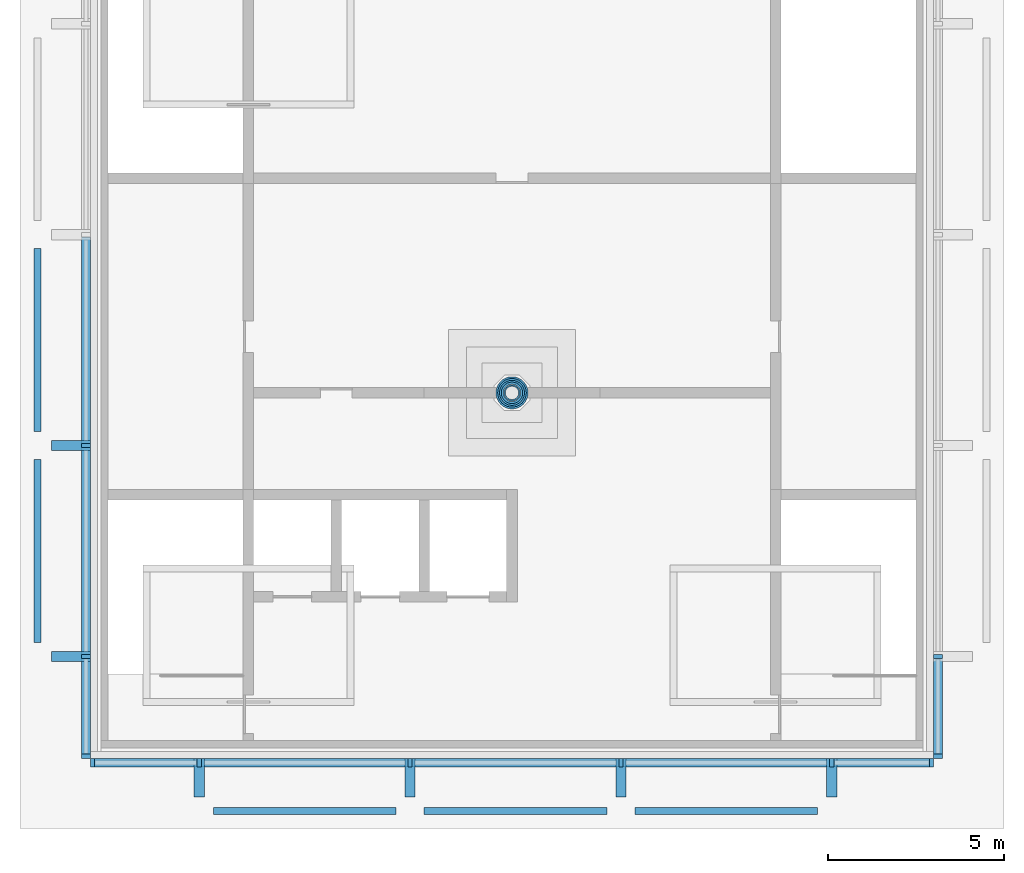
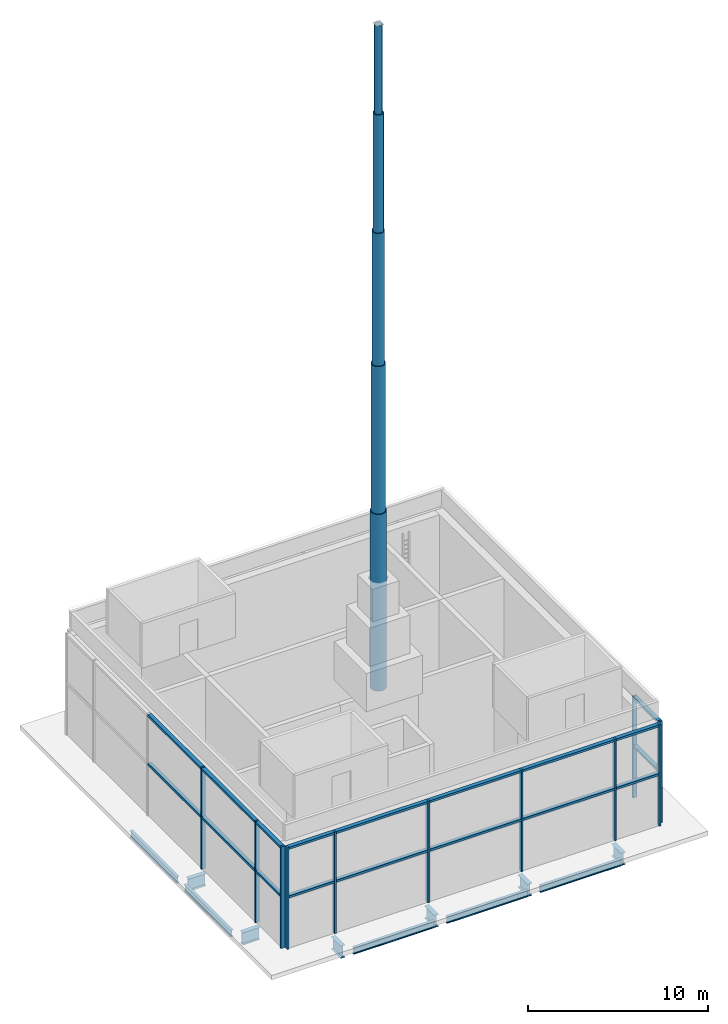
# One storey, part 1 of 8: 34 members, 11 beams, 3 elements without a shape of their own.
"""IFC4 building model written with IfcOpenShell, lengths in metres."""

from ifc_helpers import new_model, si_unit, direction, frame, origin, origin_2d, place, context, subcontext, project, spatial, rectangle, hollow_circle, i_section, extrude, material, material_profile, profile_set, type_object, element, aggregate, save


model = new_model("IFC4")

# Units and contexts
model_context = context("Model", 3, precision=1e-05, world=origin(), true_north=direction((0.0, 1.0)))
body_context = subcontext(model_context, "Body", "Model", "MODEL_VIEW")
ifc_project = project(units=[si_unit("LENGTHUNIT", "METRE"), si_unit("AREAUNIT", "SQUARE_METRE"), si_unit("VOLUMEUNIT", "CUBIC_METRE"), si_unit("PLANEANGLEUNIT", "RADIAN"), si_unit("MASSUNIT", "GRAM", prefix="KILO")], contexts=[model_context])

# Site, building, storey
site_placement = place(None, origin())
site = spatial("IfcSite", under=ifc_project, at=site_placement, CompositionType="ELEMENT")
building_placement = place(site_placement, origin())
building = spatial("IfcBuilding", under=site, at=building_placement, Name="Amberfall Residences", CompositionType="ELEMENT")
storey_placement = place(building_placement, frame((0.0, 0.0, 301.60009765625)))
storey = spatial("IfcBuildingStorey", under=building, at=storey_placement, Name="L81 Crown", CompositionType="ELEMENT", Elevation=301.60009765625)

# Curtain wall, members
ifc_material_1 = material(Name="Bronze anodised aluminium and glass", Category="aluminium")
curtain_wall_type = type_object("IfcCurtainWallType", Name="Curtain wall CW6 crown louvre", PredefinedType="USERDEFINED", material=ifc_material_1)
curtain_wall_1_placement = place(storey_placement, origin())
curtain_wall_1 = element("IfcCurtainWall", 1, at=curtain_wall_1_placement, inside=storey, type_object=curtain_wall_type, Name="Curtain wall L81 Crown S S1", ObjectType="UNITISED CURTAIN WALL", PredefinedType="USERDEFINED")
ifc_material_2 = material(Name="Bronze anodised aluminium", Category="aluminium")
ifc_material_profile_1 = material_profile(ifc_material_2, rectangle(XDim=0.25, YDim=0.1201171875, at=origin_2d()), Name="CW6 mullion 120 x 250 bronze")
ifc_profile_set_1 = profile_set([ifc_material_profile_1], Name="Bronze anodised aluminium")
member_type_1 = type_object("IfcMemberType", Name="CW6 mullion 120 x 250 bronze", PredefinedType="MULLION", material=ifc_profile_set_1)
member_1_placement = place(storey_placement, frame((62.56005859375, 33.375, 0.0), z_axis=(0.0, 0.0, 1.0), x_axis=(0.0, 1.0, 0.0)))
member_1 = element("IfcMember", 2, at=member_1_placement, type_object=member_type_1, Name="CW6 mullion 1", PredefinedType="MULLION", context=body_context, shape_type="SweptSolid", body=[
    extrude(rectangle(XDim=0.25, YDim=0.1201171875, at=origin_2d()), origin(), (0.0, 0.0, 1.0), 6.89990234375),
])
member_2_placement = place(storey_placement, frame((65.60009765625, 33.375, 0.0), z_axis=(0.0, 0.0, 1.0), x_axis=(0.0, 1.0, 0.0)))
member_2 = element("IfcMember", 3, at=member_2_placement, type_object=member_type_1, Name="CW6 mullion 2", PredefinedType="MULLION", context=body_context, shape_type="SweptSolid", body=[
    extrude(rectangle(XDim=0.25, YDim=0.1201171875, at=origin_2d()), origin(), (0.0, 0.0, 1.0), 6.89990234375),
])
member_3_placement = place(storey_placement, frame((71.60009765625, 33.375, 0.0), z_axis=(0.0, 0.0, 1.0), x_axis=(0.0, 1.0, 0.0)))
member_3 = element("IfcMember", 4, at=member_3_placement, type_object=member_type_1, Name="CW6 mullion 3", PredefinedType="MULLION", context=body_context, shape_type="SweptSolid", body=[
    extrude(rectangle(XDim=0.25, YDim=0.1201171875, at=origin_2d()), origin(), (0.0, 0.0, 1.0), 6.89990234375),
])
member_4_placement = place(storey_placement, frame((77.60009765625, 33.375, 0.0), z_axis=(0.0, 0.0, 1.0), x_axis=(0.0, 1.0, 0.0)))
member_4 = element("IfcMember", 5, at=member_4_placement, type_object=member_type_1, Name="CW6 mullion 4", PredefinedType="MULLION", context=body_context, shape_type="SweptSolid", body=[
    extrude(rectangle(XDim=0.25, YDim=0.1201171875, at=origin_2d()), origin(), (0.0, 0.0, 1.0), 6.89990234375),
])
member_5_placement = place(storey_placement, frame((83.60009765625, 33.375, 0.0), z_axis=(0.0, 0.0, 1.0), x_axis=(0.0, 1.0, 0.0)))
member_5 = element("IfcMember", 6, at=member_5_placement, type_object=member_type_1, Name="CW6 mullion 5", PredefinedType="MULLION", context=body_context, shape_type="SweptSolid", body=[
    extrude(rectangle(XDim=0.25, YDim=0.1201171875, at=origin_2d()), origin(), (0.0, 0.0, 1.0), 6.89990234375),
])
member_6_placement = place(storey_placement, frame((86.43994140625, 33.375, 0.0), z_axis=(0.0, 0.0, 1.0), x_axis=(0.0, 1.0, 0.0)))
member_6 = element("IfcMember", 7, at=member_6_placement, type_object=member_type_1, Name="CW6 mullion 6", PredefinedType="MULLION", context=body_context, shape_type="SweptSolid", body=[
    extrude(rectangle(XDim=0.25, YDim=0.1201171875, at=origin_2d()), origin(), (0.0, 0.0, 1.0), 6.89990234375),
])

curtain_wall_2_placement = place(storey_placement, origin())
curtain_wall_2 = element("IfcCurtainWall", 8, at=curtain_wall_2_placement, inside=storey, type_object=curtain_wall_type, Name="Curtain wall L81 Crown E E1", ObjectType="UNITISED CURTAIN WALL", PredefinedType="USERDEFINED")
member_7_placement = place(storey_placement, frame((86.625, 33.56005859375, 0.0), z_axis=(0.0, 0.0, 1.0), x_axis=(-1.0, 0.0, 0.0)))
member_7 = element("IfcMember", 9, at=member_7_placement, type_object=member_type_1, Name="CW6 mullion 1", PredefinedType="MULLION", context=body_context, shape_type="SweptSolid", body=[
    extrude(rectangle(XDim=0.25, YDim=0.1201171875, at=origin_2d()), origin(), (0.0, 0.0, 1.0), 6.89990234375),
])
member_8_placement = place(storey_placement, frame((86.625, 36.39990234375, 0.0), z_axis=(0.0, 0.0, 1.0), x_axis=(-1.0, 0.0, 0.0)))
member_8 = element("IfcMember", 10, at=member_8_placement, type_object=member_type_1, Name="CW6 mullion 2", PredefinedType="MULLION", context=body_context, shape_type="SweptSolid", body=[
    extrude(rectangle(XDim=0.25, YDim=0.1201171875, at=origin_2d()), origin(), (0.0, 0.0, 1.0), 6.89990234375),
])

curtain_wall_3_placement = place(storey_placement, origin())
curtain_wall_3 = element("IfcCurtainWall", 11, at=curtain_wall_3_placement, inside=storey, type_object=curtain_wall_type, Name="Curtain wall L81 Crown W W1", ObjectType="UNITISED CURTAIN WALL", PredefinedType="USERDEFINED")
member_9_placement = place(storey_placement, frame((62.375, 42.39990234375, 0.0), z_axis=(0.0, 0.0, 1.0), x_axis=(1.0, 0.0, 0.0)))
member_9 = element("IfcMember", 12, at=member_9_placement, type_object=member_type_1, Name="CW6 mullion 4", PredefinedType="MULLION", context=body_context, shape_type="SweptSolid", body=[
    extrude(rectangle(XDim=0.25, YDim=0.1201171875, at=origin_2d()), origin(), (0.0, 0.0, 1.0), 6.89990234375),
])
member_10_placement = place(storey_placement, frame((62.375, 36.39990234375, 0.0), z_axis=(0.0, 0.0, 1.0), x_axis=(1.0, 0.0, 0.0)))
member_10 = element("IfcMember", 13, at=member_10_placement, type_object=member_type_1, Name="CW6 mullion 5", PredefinedType="MULLION", context=body_context, shape_type="SweptSolid", body=[
    extrude(rectangle(XDim=0.25, YDim=0.1201171875, at=origin_2d()), origin(), (0.0, 0.0, 1.0), 6.89990234375),
])
member_11_placement = place(storey_placement, frame((62.375, 33.56005859375, 0.0), z_axis=(0.0, 0.0, 1.0), x_axis=(1.0, 0.0, 0.0)))
member_11 = element("IfcMember", 14, at=member_11_placement, type_object=member_type_1, Name="CW6 mullion 6", PredefinedType="MULLION", context=body_context, shape_type="SweptSolid", body=[
    extrude(rectangle(XDim=0.25, YDim=0.1201171875, at=origin_2d()), origin(), (0.0, 0.0, 1.0), 6.89990234375),
])

# Member
ifc_material_profile_2 = material_profile(ifc_material_2, rectangle(XDim=0.25, YDim=0.14990234375, at=origin_2d()), Name="CW6 transom 250 x 150 bronze")
ifc_profile_set_2 = profile_set([ifc_material_profile_2], Name="Bronze anodised aluminium")
member_type_2 = type_object("IfcMemberType", Name="CW6 transom 250 x 150 bronze", PredefinedType="USERDEFINED", material=ifc_profile_set_2)
member_12_placement = place(storey_placement, frame((62.6201171875, 33.375, 3.52490234375), z_axis=(1.0, 0.0, 0.0), x_axis=(0.0, 1.0, 0.0)))
member_12 = element("IfcMember", 15, at=member_12_placement, type_object=member_type_2, Name="CW6 transom 1.1", ObjectType="TRANSOM", PredefinedType="USERDEFINED", context=body_context, shape_type="SweptSolid", body=[
    extrude(rectangle(XDim=0.25, YDim=0.14990234375, at=origin_2d()), origin(), (0.0, 0.0, 1.0), 2.919921875),
])

member_13_placement = place(storey_placement, frame((62.6201171875, 33.375, 6.824951171875), z_axis=(1.0, 0.0, 0.0), x_axis=(0.0, 1.0, 0.0)))
member_13 = element("IfcMember", 16, at=member_13_placement, type_object=member_type_2, Name="CW6 transom 1.2", ObjectType="TRANSOM", PredefinedType="USERDEFINED", context=body_context, shape_type="SweptSolid", body=[
    extrude(rectangle(XDim=0.25, YDim=0.14990234375, at=origin_2d()), origin(), (0.0, 0.0, 1.0), 2.919921875),
])

member_14_placement = place(storey_placement, frame((65.659912109375, 33.375, 3.52490234375), z_axis=(1.0, 0.0, 0.0), x_axis=(0.0, 1.0, 0.0)))
member_14 = element("IfcMember", 17, at=member_14_placement, type_object=member_type_2, Name="CW6 transom 2.1", ObjectType="TRANSOM", PredefinedType="USERDEFINED", context=body_context, shape_type="SweptSolid", body=[
    extrude(rectangle(XDim=0.25, YDim=0.14990234375, at=origin_2d()), origin(), (0.0, 0.0, 1.0), 5.880126953125),
])

member_15_placement = place(storey_placement, frame((65.659912109375, 33.375, 6.824951171875), z_axis=(1.0, 0.0, 0.0), x_axis=(0.0, 1.0, 0.0)))
member_15 = element("IfcMember", 18, at=member_15_placement, type_object=member_type_2, Name="CW6 transom 2.2", ObjectType="TRANSOM", PredefinedType="USERDEFINED", context=body_context, shape_type="SweptSolid", body=[
    extrude(rectangle(XDim=0.25, YDim=0.14990234375, at=origin_2d()), origin(), (0.0, 0.0, 1.0), 5.880126953125),
])

member_16_placement = place(storey_placement, frame((71.659912109375, 33.375, 3.52490234375), z_axis=(1.0, 0.0, 0.0), x_axis=(0.0, 1.0, 0.0)))
member_16 = element("IfcMember", 19, at=member_16_placement, type_object=member_type_2, Name="CW6 transom 3.1", ObjectType="TRANSOM", PredefinedType="USERDEFINED", context=body_context, shape_type="SweptSolid", body=[
    extrude(rectangle(XDim=0.25, YDim=0.14990234375, at=origin_2d()), origin(), (0.0, 0.0, 1.0), 5.880126953125),
])

member_17_placement = place(storey_placement, frame((71.659912109375, 33.375, 6.824951171875), z_axis=(1.0, 0.0, 0.0), x_axis=(0.0, 1.0, 0.0)))
member_17 = element("IfcMember", 20, at=member_17_placement, type_object=member_type_2, Name="CW6 transom 3.2", ObjectType="TRANSOM", PredefinedType="USERDEFINED", context=body_context, shape_type="SweptSolid", body=[
    extrude(rectangle(XDim=0.25, YDim=0.14990234375, at=origin_2d()), origin(), (0.0, 0.0, 1.0), 5.880126953125),
])

member_18_placement = place(storey_placement, frame((77.659912109375, 33.375, 3.52490234375), z_axis=(1.0, 0.0, 0.0), x_axis=(0.0, 1.0, 0.0)))
member_18 = element("IfcMember", 21, at=member_18_placement, type_object=member_type_2, Name="CW6 transom 4.1", ObjectType="TRANSOM", PredefinedType="USERDEFINED", context=body_context, shape_type="SweptSolid", body=[
    extrude(rectangle(XDim=0.25, YDim=0.14990234375, at=origin_2d()), origin(), (0.0, 0.0, 1.0), 5.880126953125),
])

member_19_placement = place(storey_placement, frame((77.659912109375, 33.375, 6.824951171875), z_axis=(1.0, 0.0, 0.0), x_axis=(0.0, 1.0, 0.0)))
member_19 = element("IfcMember", 22, at=member_19_placement, type_object=member_type_2, Name="CW6 transom 4.2", ObjectType="TRANSOM", PredefinedType="USERDEFINED", context=body_context, shape_type="SweptSolid", body=[
    extrude(rectangle(XDim=0.25, YDim=0.14990234375, at=origin_2d()), origin(), (0.0, 0.0, 1.0), 5.880126953125),
])

member_20_placement = place(storey_placement, frame((83.659912109375, 33.375, 3.52490234375), z_axis=(1.0, 0.0, 0.0), x_axis=(0.0, 1.0, 0.0)))
member_20 = element("IfcMember", 23, at=member_20_placement, type_object=member_type_2, Name="CW6 transom 5.1", ObjectType="TRANSOM", PredefinedType="USERDEFINED", context=body_context, shape_type="SweptSolid", body=[
    extrude(rectangle(XDim=0.25, YDim=0.14990234375, at=origin_2d()), origin(), (0.0, 0.0, 1.0), 2.719970703125),
])

member_21_placement = place(storey_placement, frame((83.659912109375, 33.375, 6.824951171875), z_axis=(1.0, 0.0, 0.0), x_axis=(0.0, 1.0, 0.0)))
member_21 = element("IfcMember", 24, at=member_21_placement, type_object=member_type_2, Name="CW6 transom 5.2", ObjectType="TRANSOM", PredefinedType="USERDEFINED", context=body_context, shape_type="SweptSolid", body=[
    extrude(rectangle(XDim=0.25, YDim=0.14990234375, at=origin_2d()), origin(), (0.0, 0.0, 1.0), 2.719970703125),
])

aggregate(curtain_wall_1, [member_1, member_2, member_3, member_4, member_5, member_6, member_12, member_13, member_14, member_15, member_16, member_17, member_18, member_19, member_20, member_21])

member_22_placement = place(storey_placement, frame((86.625, 33.6201171875, 3.52490234375), z_axis=(0.0, 1.0, 0.0), x_axis=(-1.0, 0.0, 0.0)))
member_22 = element("IfcMember", 25, at=member_22_placement, type_object=member_type_2, Name="CW6 transom 1.1", ObjectType="TRANSOM", PredefinedType="USERDEFINED", context=body_context, shape_type="SweptSolid", body=[
    extrude(rectangle(XDim=0.25, YDim=0.14990234375, at=origin_2d()), origin(), (0.0, 0.0, 1.0), 2.719970703125),
])

member_23_placement = place(storey_placement, frame((86.625, 33.6201171875, 6.824951171875), z_axis=(0.0, 1.0, 0.0), x_axis=(-1.0, 0.0, 0.0)))
member_23 = element("IfcMember", 26, at=member_23_placement, type_object=member_type_2, Name="CW6 transom 1.2", ObjectType="TRANSOM", PredefinedType="USERDEFINED", context=body_context, shape_type="SweptSolid", body=[
    extrude(rectangle(XDim=0.25, YDim=0.14990234375, at=origin_2d()), origin(), (0.0, 0.0, 1.0), 2.719970703125),
])

aggregate(curtain_wall_2, [member_7, member_8, member_22, member_23])

member_24_placement = place(storey_placement, frame((62.375, 48.340087890625, 3.52490234375), z_axis=(0.0, -1.0, 0.0), x_axis=(1.0, 0.0, 0.0)))
member_24 = element("IfcMember", 27, at=member_24_placement, type_object=member_type_2, Name="CW6 transom 3.1", ObjectType="TRANSOM", PredefinedType="USERDEFINED", context=body_context, shape_type="SweptSolid", body=[
    extrude(rectangle(XDim=0.25, YDim=0.14990234375, at=origin_2d()), origin(), (0.0, 0.0, 1.0), 5.880126953125),
])

member_25_placement = place(storey_placement, frame((62.375, 48.340087890625, 6.824951171875), z_axis=(0.0, -1.0, 0.0), x_axis=(1.0, 0.0, 0.0)))
member_25 = element("IfcMember", 28, at=member_25_placement, type_object=member_type_2, Name="CW6 transom 3.2", ObjectType="TRANSOM", PredefinedType="USERDEFINED", context=body_context, shape_type="SweptSolid", body=[
    extrude(rectangle(XDim=0.25, YDim=0.14990234375, at=origin_2d()), origin(), (0.0, 0.0, 1.0), 5.880126953125),
])

member_26_placement = place(storey_placement, frame((62.375, 42.340087890625, 3.52490234375), z_axis=(0.0, -1.0, 0.0), x_axis=(1.0, 0.0, 0.0)))
member_26 = element("IfcMember", 29, at=member_26_placement, type_object=member_type_2, Name="CW6 transom 4.1", ObjectType="TRANSOM", PredefinedType="USERDEFINED", context=body_context, shape_type="SweptSolid", body=[
    extrude(rectangle(XDim=0.25, YDim=0.14990234375, at=origin_2d()), origin(), (0.0, 0.0, 1.0), 5.880126953125),
])

member_27_placement = place(storey_placement, frame((62.375, 42.340087890625, 6.824951171875), z_axis=(0.0, -1.0, 0.0), x_axis=(1.0, 0.0, 0.0)))
member_27 = element("IfcMember", 30, at=member_27_placement, type_object=member_type_2, Name="CW6 transom 4.2", ObjectType="TRANSOM", PredefinedType="USERDEFINED", context=body_context, shape_type="SweptSolid", body=[
    extrude(rectangle(XDim=0.25, YDim=0.14990234375, at=origin_2d()), origin(), (0.0, 0.0, 1.0), 5.880126953125),
])

member_28_placement = place(storey_placement, frame((62.375, 36.340087890625, 3.52490234375), z_axis=(0.0, -1.0, 0.0), x_axis=(1.0, 0.0, 0.0)))
member_28 = element("IfcMember", 31, at=member_28_placement, type_object=member_type_2, Name="CW6 transom 5.1", ObjectType="TRANSOM", PredefinedType="USERDEFINED", context=body_context, shape_type="SweptSolid", body=[
    extrude(rectangle(XDim=0.25, YDim=0.14990234375, at=origin_2d()), origin(), (0.0, 0.0, 1.0), 2.719970703125),
])

member_29_placement = place(storey_placement, frame((62.375, 36.340087890625, 6.824951171875), z_axis=(0.0, -1.0, 0.0), x_axis=(1.0, 0.0, 0.0)))
member_29 = element("IfcMember", 32, at=member_29_placement, type_object=member_type_2, Name="CW6 transom 5.2", ObjectType="TRANSOM", PredefinedType="USERDEFINED", context=body_context, shape_type="SweptSolid", body=[
    extrude(rectangle(XDim=0.25, YDim=0.14990234375, at=origin_2d()), origin(), (0.0, 0.0, 1.0), 2.719970703125),
])

aggregate(curtain_wall_3, [member_9, member_10, member_11, member_24, member_25, member_26, member_27, member_28, member_29])

# Beams
ifc_material_3 = material(Name="Steel S355", Category="steel")
ifc_material_profile_3 = material_profile(ifc_material_3, i_section(OverallWidth=0.18994140625, OverallDepth=0.453369140625, WebThickness=0.008544921875, FlangeThickness=0.0126953125, FilletRadius=0.01025390625, at=origin_2d()), Name="UB 457x191x67")
ifc_profile_set_3 = profile_set([ifc_material_profile_3], Name="Steel S355")
beam_type_1 = type_object("IfcBeamType", Name="Edge beam UB 457x191x67", PredefinedType="SPANDREL", material=ifc_profile_set_3)
for number, where, z_axis, x_axis, name in (
    (33, (66.0, 32.0, -0.52685546875), (1.0, 0.0, 0.0), (0.0, 1.0, 0.0), "Edge beam B1 L81 Crown 01"),
    (34, (72.0, 32.0, -0.52685546875), (1.0, 0.0, 0.0), (0.0, 1.0, 0.0), "Edge beam B1 L81 Crown 02"),
    (35, (78.0, 32.0, -0.52685546875), (1.0, 0.0, 0.0), (0.0, 1.0, 0.0), "Edge beam B1 L81 Crown 03"),
    (36, (61.0, 36.800048828125, -0.52685546875), (0.0, 1.0, 0.0), (-1.0, 0.0, 0.0), "Edge beam B1 L81 Crown 22"),
    (37, (61.0, 42.800048828125, -0.52685546875), (0.0, 1.0, 0.0), (-1.0, 0.0, 0.0), "Edge beam B1 L81 Crown 23"),
):
    element("IfcBeam", number, at=place(storey_placement, frame(where, z_axis=z_axis, x_axis=x_axis)), inside=storey, type_object=beam_type_1, Name=name, PredefinedType="SPANDREL", context=body_context, shape_type="SweptSolid", body=[
        extrude(i_section(OverallWidth=0.18994140625, OverallDepth=0.453369140625, WebThickness=0.008544921875, FlangeThickness=0.0126953125, FilletRadius=0.01025390625, at=origin_2d()), origin(), (0.0, 0.0, 1.0), 5.199951171875),
    ])

# Members
ifc_material_profile_4 = material_profile(ifc_material_3, hollow_circle(Radius=0.228515625, WallThickness=0.0400390625, at=origin_2d()), Name="CHS 457x40")
ifc_profile_set_4 = profile_set([ifc_material_profile_4], Name="Steel S355")
member_type_3 = type_object("IfcMemberType", Name="Needle Spire CHS 457x40", PredefinedType="USERDEFINED", material=ifc_profile_set_4)
member_30_placement = place(storey_placement, frame((74.5, 43.89990234375, 46.199951171875), z_axis=(0.0, 0.0, 1.0), x_axis=(1.0, 0.0, 0.0)))
element("IfcMember", 38, at=member_30_placement, inside=storey, type_object=member_type_3, Name="Needle Spire 5", ObjectType="Needle Spire", PredefinedType="USERDEFINED", context=body_context, shape_type="SweptSolid", body=[
    extrude(hollow_circle(Radius=0.228515625, WallThickness=0.0400390625, at=origin_2d()), origin(), (0.0, 0.0, 1.0), 6.0),
])
ifc_material_profile_5 = material_profile(ifc_material_3, hollow_circle(Radius=0.304931640625, WallThickness=0.06005859375, at=origin_2d()), Name="CHS 610x60")
ifc_profile_set_5 = profile_set([ifc_material_profile_5], Name="Steel S355")
member_type_4 = type_object("IfcMemberType", Name="Needle Spire CHS 610x60", PredefinedType="USERDEFINED", material=ifc_profile_set_5)
member_31_placement = place(storey_placement, frame((74.5, 43.89990234375, 38.199951171875), z_axis=(0.0, 0.0, 1.0), x_axis=(1.0, 0.0, 0.0)))
element("IfcMember", 39, at=member_31_placement, inside=storey, type_object=member_type_4, Name="Needle Spire 4", ObjectType="Needle Spire", PredefinedType="USERDEFINED", context=body_context, shape_type="SweptSolid", body=[
    extrude(hollow_circle(Radius=0.304931640625, WallThickness=0.06005859375, at=origin_2d()), origin(), (0.0, 0.0, 1.0), 8.0),
])
ifc_material_profile_6 = material_profile(ifc_material_3, hollow_circle(Radius=0.35546875, WallThickness=0.050048828125, at=origin_2d()), Name="CHS 711x50")
ifc_profile_set_6 = profile_set([ifc_material_profile_6], Name="Steel S355")
member_type_5 = type_object("IfcMemberType", Name="Needle Spire CHS 711x50", PredefinedType="USERDEFINED", material=ifc_profile_set_6)
member_32_placement = place(storey_placement, frame((74.5, 43.89990234375, 29.199951171875), z_axis=(0.0, 0.0, 1.0), x_axis=(1.0, 0.0, 0.0)))
element("IfcMember", 40, at=member_32_placement, inside=storey, type_object=member_type_5, Name="Needle Spire 3", ObjectType="Needle Spire", PredefinedType="USERDEFINED", context=body_context, shape_type="SweptSolid", body=[
    extrude(hollow_circle(Radius=0.35546875, WallThickness=0.050048828125, at=origin_2d()), origin(), (0.0, 0.0, 1.0), 9.0),
])
ifc_material_profile_7 = material_profile(ifc_material_3, hollow_circle(Radius=0.406494140625, WallThickness=0.050048828125, at=origin_2d()), Name="CHS 813x50")
ifc_profile_set_7 = profile_set([ifc_material_profile_7], Name="Steel S355")
member_type_6 = type_object("IfcMemberType", Name="Needle Spire CHS 813x50", PredefinedType="USERDEFINED", material=ifc_profile_set_7)
member_33_placement = place(storey_placement, frame((74.5, 43.89990234375, 19.199951171875), z_axis=(0.0, 0.0, 1.0), x_axis=(1.0, 0.0, 0.0)))
element("IfcMember", 41, at=member_33_placement, inside=storey, type_object=member_type_6, Name="Needle Spire 2", ObjectType="Needle Spire", PredefinedType="USERDEFINED", context=body_context, shape_type="SweptSolid", body=[
    extrude(hollow_circle(Radius=0.406494140625, WallThickness=0.050048828125, at=origin_2d()), origin(), (0.0, 0.0, 1.0), 10.0),
])
ifc_material_profile_8 = material_profile(ifc_material_3, hollow_circle(Radius=0.457275390625, WallThickness=0.06005859375, at=origin_2d()), Name="CHS 914.4x60")
ifc_profile_set_8 = profile_set([ifc_material_profile_8], Name="Steel S355")
member_type_7 = type_object("IfcMemberType", Name="Needle Spire CHS 914.4x60", PredefinedType="USERDEFINED", material=ifc_profile_set_8)
member_34_placement = place(storey_placement, frame((74.5, 43.89990234375, 7.199951171875), z_axis=(0.0, 0.0, 1.0), x_axis=(1.0, 0.0, 0.0)))
element("IfcMember", 42, at=member_34_placement, inside=storey, type_object=member_type_7, Name="Needle Spire 1", ObjectType="Needle Spire", PredefinedType="USERDEFINED", context=body_context, shape_type="SweptSolid", body=[
    extrude(hollow_circle(Radius=0.457275390625, WallThickness=0.06005859375, at=origin_2d()), origin(), (0.0, 0.0, 1.0), 12.0),
])

# Beams
ifc_material_profile_9 = material_profile(ifc_material_3, i_section(OverallWidth=0.29150390625, OverallDepth=0.8349609375, WebThickness=0.013916015625, FlangeThickness=0.018798828125, FilletRadius=0.017822265625, at=origin_2d()), Name="UB 838x292x176")
ifc_profile_set_9 = profile_set([ifc_material_profile_9], Name="Steel S355")
beam_type_2 = type_object("IfcBeamType", Name="Transfer girder UB 838x292x176", PredefinedType="BEAM", material=ifc_profile_set_9)
for number, where, z_axis, x_axis, name in (
    (43, (65.60009765625, 32.39990234375, -0.717529296875), (0.0, 1.0, 0.0), (-1.0, 0.0, 0.0), "Transfer girder B6 L81 Crown 04"),
    (44, (71.60009765625, 32.39990234375, -0.717529296875), (0.0, 1.0, 0.0), (-1.0, 0.0, 0.0), "Transfer girder B6 L81 Crown 05"),
    (45, (77.60009765625, 32.39990234375, -0.717529296875), (0.0, 1.0, 0.0), (-1.0, 0.0, 0.0), "Transfer girder B6 L81 Crown 06"),
    (46, (83.60009765625, 32.39990234375, -0.717529296875), (0.0, 1.0, 0.0), (-1.0, 0.0, 0.0), "Transfer girder B6 L81 Crown 07"),
    (47, (61.39990234375, 36.39990234375, -0.717529296875), (1.0, 0.0, 0.0), (0.0, 1.0, 0.0), "Transfer girder B6 L81 Crown 25"),
    (48, (61.39990234375, 42.39990234375, -0.717529296875), (1.0, 0.0, 0.0), (0.0, 1.0, 0.0), "Transfer girder B6 L81 Crown 26"),
):
    element("IfcBeam", number, at=place(storey_placement, frame(where, z_axis=z_axis, x_axis=x_axis)), inside=storey, type_object=beam_type_2, Name=name, PredefinedType="BEAM", context=body_context, shape_type="SweptSolid", body=[
        extrude(i_section(OverallWidth=0.29150390625, OverallDepth=0.8349609375, WebThickness=0.013916015625, FlangeThickness=0.018798828125, FilletRadius=0.017822265625, at=origin_2d()), origin(), (0.0, 0.0, 1.0), 1.10009765625),
    ])

save(model, "model.ifc")
